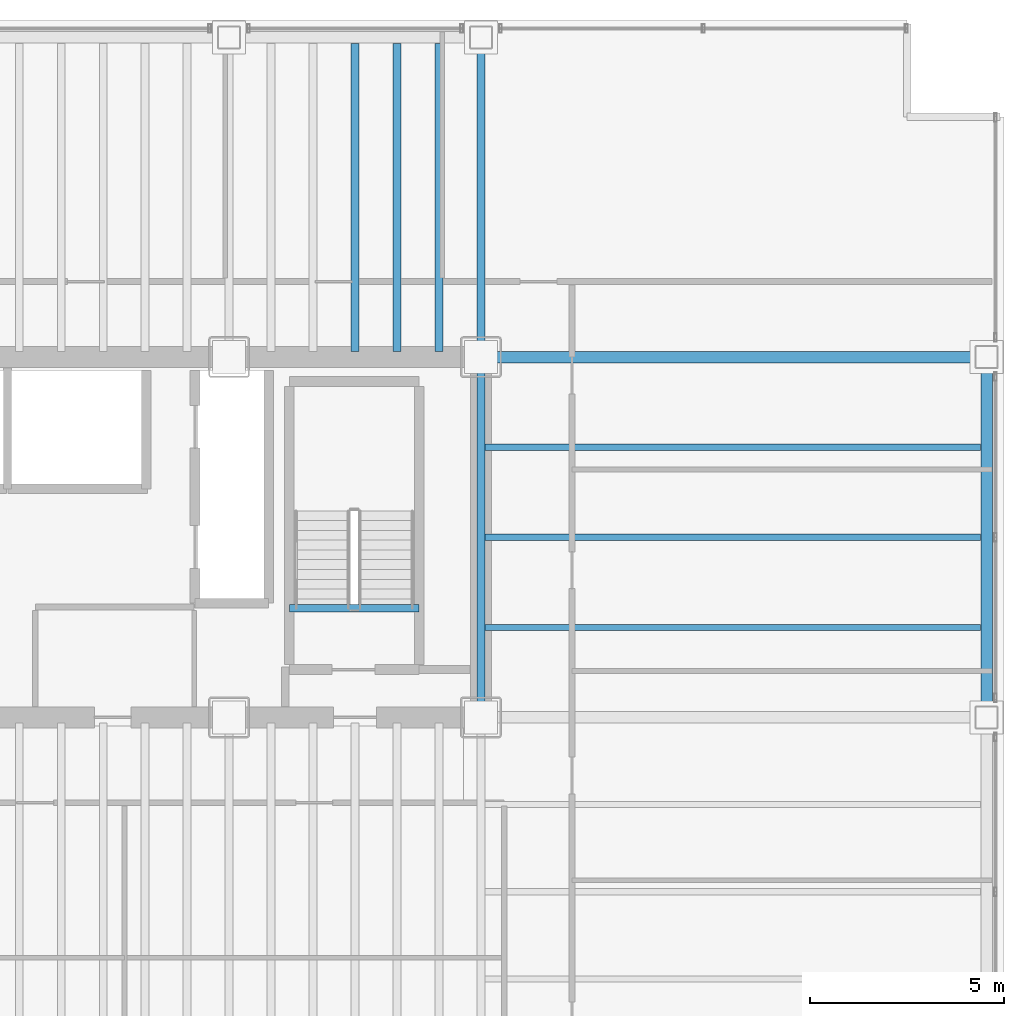
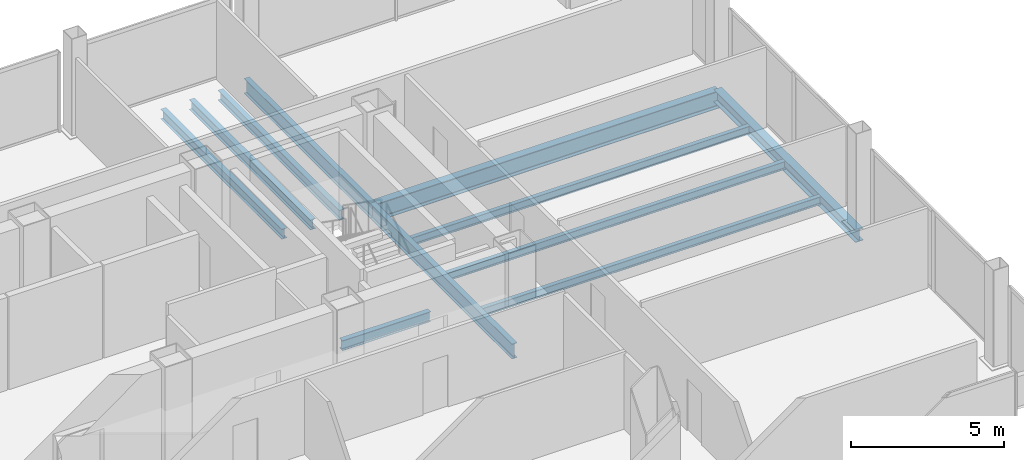
# One storey, part 11 of 20: 11 beams.
"""IFC4 building model written with IfcOpenShell, lengths in metres."""

from ifc_helpers import new_model, si_unit, direction, frame, origin, origin_2d, place, context, subcontext, project, spatial, i_section, extrude, material, material_profile, profile_set, type_object, element, save


model = new_model("IFC4")

# Units and contexts
model_context = context("Model", 3, precision=1e-05, world=origin(), true_north=direction((0.0, 1.0)))
body_context = subcontext(model_context, "Body", "Model", "MODEL_VIEW")
ifc_project = project(units=[si_unit("LENGTHUNIT", "METRE"), si_unit("AREAUNIT", "SQUARE_METRE"), si_unit("VOLUMEUNIT", "CUBIC_METRE"), si_unit("PLANEANGLEUNIT", "RADIAN"), si_unit("MASSUNIT", "GRAM", prefix="KILO")], contexts=[model_context])

# Site, building, storey
site_placement = place(None, origin())
site = spatial("IfcSite", under=ifc_project, at=site_placement, CompositionType="ELEMENT")
building_placement = place(site_placement, origin())
building = spatial("IfcBuilding", under=site, at=building_placement, Name="Noeulbin Bourse Tower", CompositionType="ELEMENT")
storey_placement = place(building_placement, frame((0.0, 0.0, 73.300048828125)))
storey = spatial("IfcBuildingStorey", under=building, at=storey_placement, Name="L18", CompositionType="ELEMENT", Elevation=73.300048828125)

# Beams
ifc_material = material(Name="Steel S355", Category="steel")
ifc_material_profile_1 = material_profile(ifc_material, i_section(OverallWidth=0.199951171875, OverallDepth=0.60009765625, WebThickness=0.010986328125, FlangeThickness=0.01708984375, FilletRadius=0.02197265625, at=origin_2d()), Name="H-600x200x11x17", Category="LoadBearing")
ifc_profile_set_1 = profile_set([ifc_material_profile_1], Name="Steel S355")
beam_type_1 = type_object("IfcBeamType", Name="BM-GRD-600", PredefinedType="USERDEFINED", material=ifc_profile_set_1)
beam_1_placement = place(storey_placement, frame((44.0, 29.0, -0.47998046875), z_axis=(0.0, 1.0, 0.0), x_axis=(-1.0, 0.0, 0.0)))
element("IfcBeam", 1, at=beam_1_placement, inside=storey, type_object=beam_type_1, Name="Tower Primary Girder NS L18-5.3", ObjectType="GIRDER", PredefinedType="USERDEFINED", context=body_context, shape_type="SweptSolid", body=[
    extrude(i_section(OverallWidth=0.199951171875, OverallDepth=0.60009765625, WebThickness=0.010986328125, FlangeThickness=0.01708984375, FilletRadius=0.02197265625, at=origin_2d()), origin(), (0.0, 0.0, 1.0), 9.300048828125),
])
beam_2_placement = place(storey_placement, frame((44.0, 38.300048828125, -0.47998046875), z_axis=(0.0, 1.0, 0.0), x_axis=(-1.0, 0.0, 0.0)))
element("IfcBeam", 2, at=beam_2_placement, inside=storey, type_object=beam_type_1, Name="Tower Primary Girder NS L18-5.4", ObjectType="GIRDER", PredefinedType="USERDEFINED", context=body_context, shape_type="SweptSolid", body=[
    extrude(i_section(OverallWidth=0.199951171875, OverallDepth=0.60009765625, WebThickness=0.010986328125, FlangeThickness=0.01708984375, FilletRadius=0.02197265625, at=origin_2d()), origin(), (0.0, 0.0, 1.0), 8.25),
])
ifc_material_profile_2 = material_profile(ifc_material, i_section(OverallWidth=0.300048828125, OverallDepth=0.699951171875, WebThickness=0.012939453125, FlangeThickness=0.02392578125, FilletRadius=0.02392578125, at=origin_2d()), Name="H-700x300x13x24", Category="LoadBearing")
ifc_profile_set_2 = profile_set([ifc_material_profile_2], Name="Steel S355")
beam_type_2 = type_object("IfcBeamType", Name="BM-GRD-700", PredefinedType="USERDEFINED", material=ifc_profile_set_2)
beam_3_placement = place(storey_placement, frame((44.0, 38.300048828125, -0.530029296875), z_axis=(1.0, 0.0, 0.0), x_axis=(0.0, 1.0, 0.0)))
element("IfcBeam", 3, at=beam_3_placement, inside=storey, type_object=beam_type_2, Name="Tower Primary Girder EW L18-3.6", ObjectType="GIRDER", PredefinedType="USERDEFINED", context=body_context, shape_type="SweptSolid", body=[
    extrude(i_section(OverallWidth=0.300048828125, OverallDepth=0.699951171875, WebThickness=0.012939453125, FlangeThickness=0.02392578125, FilletRadius=0.02392578125, at=origin_2d()), origin(), (0.0, 0.0, 1.0), 13.050048828125),
])
ifc_material_profile_3 = material_profile(ifc_material, i_section(OverallWidth=0.159912109375, OverallDepth=0.320068359375, WebThickness=0.006591796875, FlangeThickness=0.010009765625, FilletRadius=0.012939453125, at=origin_2d()), Name="H-320x160x6.5x10", Category="LoadBearing")
ifc_profile_set_3 = profile_set([ifc_material_profile_3], Name="Steel S355")
beam_type_3 = type_object("IfcBeamType", Name="BM-JST-320", PredefinedType="JOIST", material=ifc_profile_set_3)
for number, where, z_axis, x_axis, name in (
    (4, (44.10009765625, 31.324951171875, -0.340087890625), (1.0, 0.0, 0.0), (0.0, 1.0, 0.0), "Wing Composite Joist L18-E79"),
    (5, (44.10009765625, 33.64990234375, -0.340087890625), (1.0, 0.0, 0.0), (0.0, 1.0, 0.0), "Wing Composite Joist L18-E80"),
    (6, (44.10009765625, 35.97509765625, -0.340087890625), (1.0, 0.0, 0.0), (0.0, 1.0, 0.0), "Wing Composite Joist L18-E81"),
):
    element("IfcBeam", number, at=place(storey_placement, frame(where, z_axis=z_axis, x_axis=x_axis)), inside=storey, type_object=beam_type_3, Name=name, PredefinedType="JOIST", context=body_context, shape_type="SweptSolid", body=[
        extrude(i_section(OverallWidth=0.159912109375, OverallDepth=0.320068359375, WebThickness=0.006591796875, FlangeThickness=0.010009765625, FilletRadius=0.012939453125, at=origin_2d()), origin(), (0.0, 0.0, 1.0), 12.7998046875),
    ])
ifc_material_profile_4 = material_profile(ifc_material, i_section(OverallWidth=0.199951171875, OverallDepth=0.39990234375, WebThickness=0.008056640625, FlangeThickness=0.012939453125, FilletRadius=0.01611328125, at=origin_2d()), Name="H-400x200x8x13", Category="LoadBearing")
ifc_profile_set_4 = profile_set([ifc_material_profile_4], Name="Steel S355")
beam_type_4 = type_object("IfcBeamType", Name="BM-SEC-400", PredefinedType="BEAM", material=ifc_profile_set_4)
for number, where, z_axis, x_axis, name in (
    (7, (40.75, 38.449951171875, -0.380126953125), (0.0, 1.0, 0.0), (-1.0, 0.0, 0.0), "Tower Composite Joist L18-63"),
    (8, (41.833251953125, 38.449951171875, -0.380126953125), (0.0, 1.0, 0.0), (-1.0, 0.0, 0.0), "Tower Composite Joist L18-66"),
    (9, (42.916748046875, 38.449951171875, -0.380126953125), (0.0, 1.0, 0.0), (-1.0, 0.0, 0.0), "Tower Composite Joist L18-69"),
):
    element("IfcBeam", number, at=place(storey_placement, frame(where, z_axis=z_axis, x_axis=x_axis)), inside=storey, type_object=beam_type_4, Name=name, PredefinedType="BEAM", context=body_context, shape_type="SweptSolid", body=[
        extrude(i_section(OverallWidth=0.199951171875, OverallDepth=0.39990234375, WebThickness=0.008056640625, FlangeThickness=0.012939453125, FilletRadius=0.01611328125, at=origin_2d()), origin(), (0.0, 0.0, 1.0), 7.949951171875),
    ])
beam_4_placement = place(storey_placement, frame((39.06005859375, 31.820068359375, -0.199951171875), z_axis=(1.0, 0.0, 0.0), x_axis=(0.0, 1.0, 0.0)))
element("IfcBeam", 10, at=beam_4_placement, inside=storey, type_object=beam_type_4, Name="Stair Threshold Trimmer Beam ST2-L18", PredefinedType="BEAM", context=body_context, shape_type="SweptSolid", body=[
    extrude(i_section(OverallWidth=0.199951171875, OverallDepth=0.39990234375, WebThickness=0.008056640625, FlangeThickness=0.012939453125, FilletRadius=0.01611328125, at=origin_2d()), origin(), (0.0, 0.0, 1.0), 3.33984375),
])
ifc_material_profile_5 = material_profile(ifc_material, i_section(OverallWidth=0.300048828125, OverallDepth=0.488037109375, WebThickness=0.010986328125, FlangeThickness=0.01806640625, FilletRadius=0.02197265625, at=origin_2d()), Name="H-488x300x11x18", Category="LoadBearing")
ifc_profile_set_5 = profile_set([ifc_material_profile_5], Name="Steel S355")
beam_type_5 = type_object("IfcBeamType", Name="BM-SPN-488", PredefinedType="SPANDREL", material=ifc_profile_set_5)
beam_5_placement = place(storey_placement, frame((57.050048828125, 29.0, -0.424072265625), z_axis=(0.0, 1.0, 0.0), x_axis=(-1.0, 0.0, 0.0)))
element("IfcBeam", 11, at=beam_5_placement, inside=storey, type_object=beam_type_5, Name="East Spandrel L18-2", PredefinedType="SPANDREL", context=body_context, shape_type="SweptSolid", body=[
    extrude(i_section(OverallWidth=0.300048828125, OverallDepth=0.488037109375, WebThickness=0.010986328125, FlangeThickness=0.01806640625, FilletRadius=0.02197265625, at=origin_2d()), origin(), (0.0, 0.0, 1.0), 9.300048828125),
])

save(model, "model.ifc")
